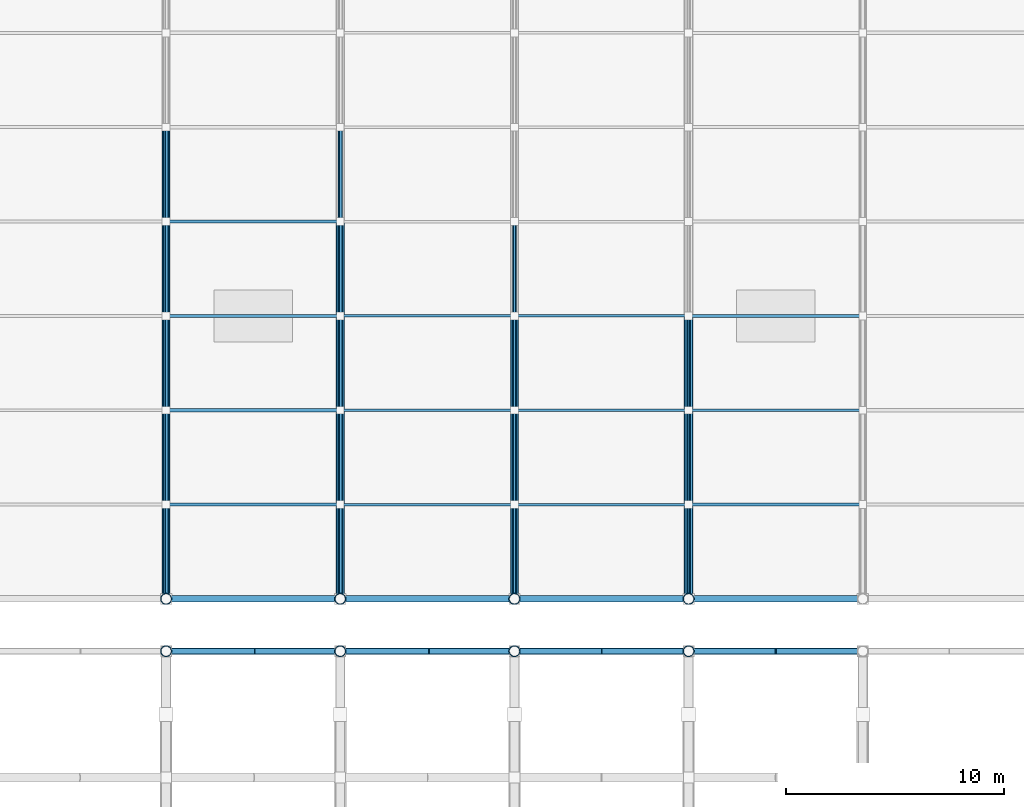
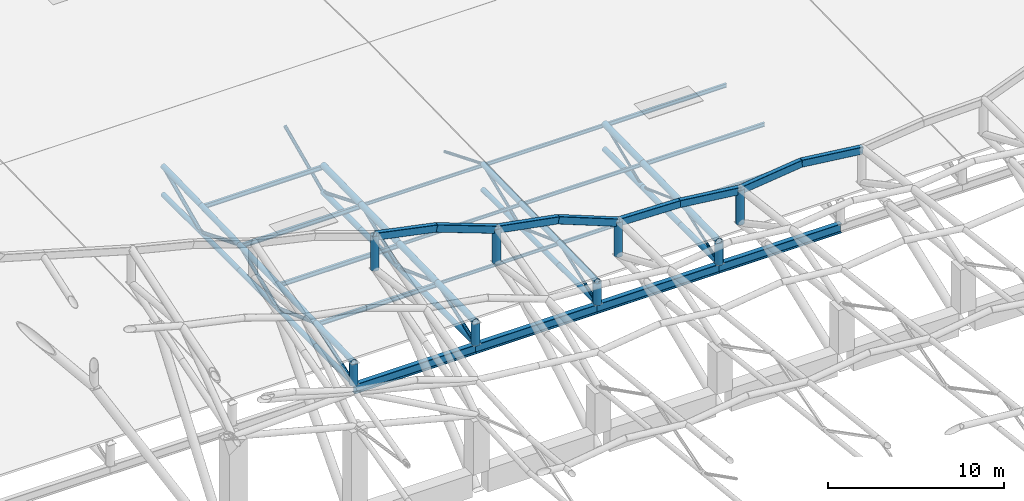
# One storey, part 18 of 75: 68 members, 12 beams.
"""IFC4 building model written with IfcOpenShell, lengths in metres."""

from ifc_helpers import new_model, si_unit, direction, frame, origin, origin_2d, place, context, subcontext, project, spatial, hollow_rectangle, hollow_circle, i_section, extrude, material, material_profile, profile_set, type_object, element, save


model = new_model("IFC4")

# Units and contexts
model_context = context("Model", 3, precision=1e-05, world=origin(), true_north=direction((0.0, 1.0)))
body_context = subcontext(model_context, "Body", "Model", "MODEL_VIEW")
ifc_project = project(units=[si_unit("LENGTHUNIT", "METRE"), si_unit("AREAUNIT", "SQUARE_METRE"), si_unit("VOLUMEUNIT", "CUBIC_METRE"), si_unit("PLANEANGLEUNIT", "RADIAN"), si_unit("MASSUNIT", "GRAM", prefix="KILO")], contexts=[model_context])

# Site, building, storey
site_placement = place(None, origin())
site = spatial("IfcSite", under=ifc_project, at=site_placement, CompositionType="ELEMENT")
building_placement = place(site_placement, origin())
building = spatial("IfcBuilding", under=site, at=building_placement, Name="Khorjan Park Terminus", CompositionType="ELEMENT")
storey_placement = place(building_placement, frame((0.0, 0.0, 16.2)))
storey = spatial("IfcBuildingStorey", under=building, at=storey_placement, Name="L03", CompositionType="ELEMENT", Elevation=16.2)

# Members
ifc_material = material(Name="Steel S355", Category="steel")
ifc_material_profile_1 = material_profile(ifc_material, hollow_circle(Radius=0.0842, WallThickness=0.008, at=origin_2d()), Name="CHS 168.3x8")
ifc_profile_set_1 = profile_set([ifc_material_profile_1], Name="Steel S355")
member_type_1 = type_object("IfcMemberType", Name="MB-BR-168", PredefinedType="BRACE", material=ifc_profile_set_1)
member_1_placement = place(storey_placement, frame((88.0, 102.0, -2.6), z_axis=(0.0, 0.938678487602, 0.344793701963), x_axis=(-1.0, 0.0, 0.0)))
element("IfcMember", 1, at=member_1_placement, inside=storey, type_object=member_type_1, Name="Train shed flat truss web diagonal TB-17 (T11)", PredefinedType="BRACE", context=body_context, shape_type="SweptSolid", body=[
    extrude(hollow_circle(Radius=0.0842, WallThickness=0.008, at=origin_2d()), origin(), (0.0, 0.0, 1.0), 4.6164),
])
member_2_placement = place(storey_placement, frame((88.0, 106.3333, -1.0083), z_axis=(0.0, 0.938681062758, -0.344786691187), x_axis=(-1.0, 0.0, 0.0)))
element("IfcMember", 2, at=member_2_placement, inside=storey, type_object=member_type_1, Name="Train shed flat truss web diagonal TB-17 (T11)", PredefinedType="BRACE", context=body_context, shape_type="SweptSolid", body=[
    extrude(hollow_circle(Radius=0.0842, WallThickness=0.008, at=origin_2d()), origin(), (0.0, 0.0, 1.0), 4.6165),
])
member_3_placement = place(storey_placement, frame((88.0, 110.6667, -2.6), z_axis=(0.0, 0.92537575721, 0.379051062481), x_axis=(-1.0, 0.0, 0.0)))
element("IfcMember", 3, at=member_3_placement, inside=storey, type_object=member_type_1, Name="Train shed flat truss web diagonal TB-17 (T11)", PredefinedType="BRACE", context=body_context, shape_type="SweptSolid", body=[
    extrude(hollow_circle(Radius=0.0842, WallThickness=0.008, at=origin_2d()), origin(), (0.0, 0.0, 1.0), 4.6827),
])
ifc_material_profile_2 = material_profile(ifc_material, hollow_circle(Radius=0.0969, WallThickness=0.01, at=origin_2d()), Name="CHS 193.7x10")
ifc_profile_set_2 = profile_set([ifc_material_profile_2], Name="Steel S355")
member_type_2 = type_object("IfcMemberType", Name="MB-BR-194", PredefinedType="BRACE", material=ifc_profile_set_2)
member_4_placement = place(storey_placement, frame((80.0, 102.0, -2.6), z_axis=(0.0, 0.938678487602, 0.344793701963), x_axis=(-1.0, 0.0, 0.0)))
element("IfcMember", 4, at=member_4_placement, inside=storey, type_object=member_type_2, Name="Train shed flat truss web diagonal TB-19 (T10)", PredefinedType="BRACE", context=body_context, shape_type="SweptSolid", body=[
    extrude(hollow_circle(Radius=0.0969, WallThickness=0.01, at=origin_2d()), origin(), (0.0, 0.0, 1.0), 4.6164),
])
member_5_placement = place(storey_placement, frame((80.0, 106.3333, -1.0083), z_axis=(0.0, 0.938681062758, -0.344786691187), x_axis=(-1.0, 0.0, 0.0)))
element("IfcMember", 5, at=member_5_placement, inside=storey, type_object=member_type_2, Name="Train shed flat truss web diagonal TB-19 (T10)", PredefinedType="BRACE", context=body_context, shape_type="SweptSolid", body=[
    extrude(hollow_circle(Radius=0.0969, WallThickness=0.01, at=origin_2d()), origin(), (0.0, 0.0, 1.0), 4.6165),
])
for number, where, z_axis, x_axis, name in (
    (6, (80.0, 110.6667, -2.6), (0.0, 0.92537575721, 0.379051062481), (-1.0, 0.0, 0.0), "Train shed flat truss web diagonal TB-19 (T10)"),
    (7, (80.0, 115.0, -0.825), (0.0, 0.92537575721, -0.379051062481), (-1.0, 0.0, 0.0), "Train shed flat truss web diagonal TB-19 (T10)"),
):
    element("IfcMember", number, at=place(storey_placement, frame(where, z_axis=z_axis, x_axis=x_axis)), inside=storey, type_object=member_type_2, Name=name, PredefinedType="BRACE", context=body_context, shape_type="SweptSolid", body=[
        extrude(hollow_circle(Radius=0.0969, WallThickness=0.01, at=origin_2d()), origin(), (0.0, 0.0, 1.0), 4.6827),
    ])
ifc_material_profile_3 = material_profile(ifc_material, hollow_circle(Radius=0.1095, WallThickness=0.01, at=origin_2d()), Name="CHS 219.1x10")
ifc_profile_set_3 = profile_set([ifc_material_profile_3], Name="Steel S355")
member_type_3 = type_object("IfcMemberType", Name="MB-BR-219", PredefinedType="BRACE", material=ifc_profile_set_3)
member_6_placement = place(storey_placement, frame((72.0, 102.0, -2.6), z_axis=(0.0, 0.938678487602, 0.344793701963), x_axis=(-1.0, 0.0, 0.0)))
element("IfcMember", 8, at=member_6_placement, inside=storey, type_object=member_type_3, Name="Train shed flat truss web diagonal TB-22 (T9)", PredefinedType="BRACE", context=body_context, shape_type="SweptSolid", body=[
    extrude(hollow_circle(Radius=0.1095, WallThickness=0.01, at=origin_2d()), origin(), (0.0, 0.0, 1.0), 4.6164),
])
member_7_placement = place(storey_placement, frame((72.0, 106.3333, -1.0083), z_axis=(0.0, 0.938681062758, -0.344786691187), x_axis=(-1.0, 0.0, 0.0)))
element("IfcMember", 9, at=member_7_placement, inside=storey, type_object=member_type_3, Name="Train shed flat truss web diagonal TB-22 (T9)", PredefinedType="BRACE", context=body_context, shape_type="SweptSolid", body=[
    extrude(hollow_circle(Radius=0.1095, WallThickness=0.01, at=origin_2d()), origin(), (0.0, 0.0, 1.0), 4.6165),
])
for number, where, z_axis, x_axis, name in (
    (10, (72.0, 110.6667, -2.6), (0.0, 0.92537575721, 0.379051062481), (-1.0, 0.0, 0.0), "Train shed flat truss web diagonal TB-22 (T9)"),
    (11, (72.0, 115.0, -0.825), (0.0, 0.92537575721, -0.379051062481), (-1.0, 0.0, 0.0), "Train shed flat truss web diagonal TB-22 (T9)"),
):
    element("IfcMember", number, at=place(storey_placement, frame(where, z_axis=z_axis, x_axis=x_axis)), inside=storey, type_object=member_type_3, Name=name, PredefinedType="BRACE", context=body_context, shape_type="SweptSolid", body=[
        extrude(hollow_circle(Radius=0.1095, WallThickness=0.01, at=origin_2d()), origin(), (0.0, 0.0, 1.0), 4.6827),
    ])
member_8_placement = place(storey_placement, frame((72.0, 119.3333, -2.6), z_axis=(0.0, 0.911269553162, 0.411810395061), x_axis=(-1.0, 0.0, 0.0)))
element("IfcMember", 12, at=member_8_placement, inside=storey, type_object=member_type_3, Name="Train shed flat truss web diagonal TB-22 (T9)", PredefinedType="BRACE", context=body_context, shape_type="SweptSolid", body=[
    extrude(hollow_circle(Radius=0.1095, WallThickness=0.01, at=origin_2d()), origin(), (0.0, 0.0, 1.0), 4.7553),
])
ifc_material_profile_4 = material_profile(ifc_material, hollow_circle(Radius=0.1222, WallThickness=0.0125, at=origin_2d()), Name="CHS 244.5x12.5")
ifc_profile_set_4 = profile_set([ifc_material_profile_4], Name="Steel S355")
member_type_4 = type_object("IfcMemberType", Name="MB-BR-245", PredefinedType="BRACE", material=ifc_profile_set_4)
member_9_placement = place(storey_placement, frame((64.0, 102.0, -2.6), z_axis=(0.0, 0.938678487602, 0.344793701963), x_axis=(-1.0, 0.0, 0.0)))
element("IfcMember", 13, at=member_9_placement, inside=storey, type_object=member_type_4, Name="Train shed flat truss web diagonal TB-24 (T8)", PredefinedType="BRACE", context=body_context, shape_type="SweptSolid", body=[
    extrude(hollow_circle(Radius=0.1222, WallThickness=0.0125, at=origin_2d()), origin(), (0.0, 0.0, 1.0), 4.6164),
])
member_10_placement = place(storey_placement, frame((64.0, 106.3333, -1.0083), z_axis=(0.0, 0.938681062758, -0.344786691187), x_axis=(-1.0, 0.0, 0.0)))
element("IfcMember", 14, at=member_10_placement, inside=storey, type_object=member_type_4, Name="Train shed flat truss web diagonal TB-24 (T8)", PredefinedType="BRACE", context=body_context, shape_type="SweptSolid", body=[
    extrude(hollow_circle(Radius=0.1222, WallThickness=0.0125, at=origin_2d()), origin(), (0.0, 0.0, 1.0), 4.6165),
])
for number, where, z_axis, x_axis, name in (
    (15, (64.0, 110.6667, -2.6), (0.0, 0.92537575721, 0.379051062481), (-1.0, 0.0, 0.0), "Train shed flat truss web diagonal TB-24 (T8)"),
    (16, (64.0, 115.0, -0.825), (0.0, 0.92537575721, -0.379051062481), (-1.0, 0.0, 0.0), "Train shed flat truss web diagonal TB-24 (T8)"),
):
    element("IfcMember", number, at=place(storey_placement, frame(where, z_axis=z_axis, x_axis=x_axis)), inside=storey, type_object=member_type_4, Name=name, PredefinedType="BRACE", context=body_context, shape_type="SweptSolid", body=[
        extrude(hollow_circle(Radius=0.1222, WallThickness=0.0125, at=origin_2d()), origin(), (0.0, 0.0, 1.0), 4.6827),
    ])
member_11_placement = place(storey_placement, frame((64.0, 119.3333, -2.6), z_axis=(0.0, 0.911269553162, 0.411810395061), x_axis=(-1.0, 0.0, 0.0)))
element("IfcMember", 17, at=member_11_placement, inside=storey, type_object=member_type_4, Name="Train shed flat truss web diagonal TB-24 (T8)", PredefinedType="BRACE", context=body_context, shape_type="SweptSolid", body=[
    extrude(hollow_circle(Radius=0.1222, WallThickness=0.0125, at=origin_2d()), origin(), (0.0, 0.0, 1.0), 4.7553),
])
ifc_material_profile_5 = material_profile(ifc_material, hollow_circle(Radius=0.162, WallThickness=0.0125, at=origin_2d()), Name="CHS 323.9x12.5")
ifc_profile_set_5 = profile_set([ifc_material_profile_5], Name="Steel S355")
member_type_5 = type_object("IfcMemberType", Name="MB-CH-324", PredefinedType="CHORD", material=ifc_profile_set_5)
member_12_placement = place(storey_placement, frame((64.0, 102.0, -2.6), z_axis=(0.0, 1.0, 0.0), x_axis=(-1.0, 0.0, 0.0)))
element("IfcMember", 18, at=member_12_placement, inside=storey, type_object=member_type_5, Name="Train shed flat truss bottom chord TC-32 (T8)", PredefinedType="CHORD", context=body_context, shape_type="SweptSolid", body=[
    extrude(hollow_circle(Radius=0.162, WallThickness=0.0125, at=origin_2d()), origin(), (0.0, 0.0, 1.0), 4.3333),
])
member_13_placement = place(storey_placement, frame((64.0, 106.3333, -2.6), z_axis=(0.0, 1.0, 0.0), x_axis=(-1.0, 0.0, 0.0)))
element("IfcMember", 19, at=member_13_placement, inside=storey, type_object=member_type_5, Name="Train shed flat truss bottom chord TC-32 (T8)", PredefinedType="CHORD", context=body_context, shape_type="SweptSolid", body=[
    extrude(hollow_circle(Radius=0.162, WallThickness=0.0125, at=origin_2d()), origin(), (0.0, 0.0, 1.0), 4.3334),
])
for number, where, z_axis, x_axis, name in (
    (20, (64.0, 110.6667, -2.6), (0.0, 1.0, 0.0), (-1.0, 0.0, 0.0), "Train shed flat truss bottom chord TC-32 (T8)"),
    (21, (64.0, 115.0, -2.6), (0.0, 1.0, 0.0), (-1.0, 0.0, 0.0), "Train shed flat truss bottom chord TC-32 (T8)"),
):
    element("IfcMember", number, at=place(storey_placement, frame(where, z_axis=z_axis, x_axis=x_axis)), inside=storey, type_object=member_type_5, Name=name, PredefinedType="CHORD", context=body_context, shape_type="SweptSolid", body=[
        extrude(hollow_circle(Radius=0.162, WallThickness=0.0125, at=origin_2d()), origin(), (0.0, 0.0, 1.0), 4.3333),
    ])
member_14_placement = place(storey_placement, frame((64.0, 119.3333, -2.6), z_axis=(0.0, 1.0, 0.0), x_axis=(-1.0, 0.0, 0.0)))
element("IfcMember", 22, at=member_14_placement, inside=storey, type_object=member_type_5, Name="Train shed flat truss bottom chord TC-32 (T8)", PredefinedType="CHORD", context=body_context, shape_type="SweptSolid", body=[
    extrude(hollow_circle(Radius=0.162, WallThickness=0.0125, at=origin_2d()), origin(), (0.0, 0.0, 1.0), 4.3334),
])
member_15_placement = place(storey_placement, frame((80.0, 102.0, -2.6), z_axis=(0.0, 1.0, 0.0), x_axis=(-1.0, 0.0, 0.0)))
element("IfcMember", 23, at=member_15_placement, inside=storey, type_object=member_type_5, Name="Train shed flat truss bottom chord TC-32 (T10)", PredefinedType="CHORD", context=body_context, shape_type="SweptSolid", body=[
    extrude(hollow_circle(Radius=0.162, WallThickness=0.0125, at=origin_2d()), origin(), (0.0, 0.0, 1.0), 4.3333),
])
member_16_placement = place(storey_placement, frame((80.0, 106.3333, -2.6), z_axis=(0.0, 1.0, 0.0), x_axis=(-1.0, 0.0, 0.0)))
element("IfcMember", 24, at=member_16_placement, inside=storey, type_object=member_type_5, Name="Train shed flat truss bottom chord TC-32 (T10)", PredefinedType="CHORD", context=body_context, shape_type="SweptSolid", body=[
    extrude(hollow_circle(Radius=0.162, WallThickness=0.0125, at=origin_2d()), origin(), (0.0, 0.0, 1.0), 4.3334),
])
member_17_placement = place(storey_placement, frame((80.0, 110.6667, -2.6), z_axis=(0.0, 1.0, 0.0), x_axis=(-1.0, 0.0, 0.0)))
element("IfcMember", 25, at=member_17_placement, inside=storey, type_object=member_type_5, Name="Train shed flat truss bottom chord TC-32 (T10)", PredefinedType="CHORD", context=body_context, shape_type="SweptSolid", body=[
    extrude(hollow_circle(Radius=0.162, WallThickness=0.0125, at=origin_2d()), origin(), (0.0, 0.0, 1.0), 4.3333),
])
ifc_material_profile_6 = material_profile(ifc_material, hollow_circle(Radius=0.1778, WallThickness=0.016, at=origin_2d()), Name="CHS 355.6x16")
ifc_profile_set_6 = profile_set([ifc_material_profile_6], Name="Steel S355")
member_type_6 = type_object("IfcMemberType", Name="MB-CH-356", PredefinedType="CHORD", material=ifc_profile_set_6)
member_18_placement = place(storey_placement, frame((64.0, 102.0, -1.1), z_axis=(0.0, 0.999776166375, 0.021156964544), x_axis=(-1.0, 0.0, 0.0)))
element("IfcMember", 26, at=member_18_placement, inside=storey, type_object=member_type_6, Name="Train shed flat truss top chord TC-36 (T8)", PredefinedType="CHORD", context=body_context, shape_type="SweptSolid", body=[
    extrude(hollow_circle(Radius=0.1778, WallThickness=0.016, at=origin_2d()), origin(), (0.0, 0.0, 1.0), 4.3343),
])
member_19_placement = place(storey_placement, frame((64.0, 106.3333, -1.0083), z_axis=(0.0, 0.999776664437, 0.021133415439), x_axis=(-1.0, 0.0, 0.0)))
element("IfcMember", 27, at=member_19_placement, inside=storey, type_object=member_type_6, Name="Train shed flat truss top chord TC-36 (T8)", PredefinedType="CHORD", context=body_context, shape_type="SweptSolid", body=[
    extrude(hollow_circle(Radius=0.1778, WallThickness=0.016, at=origin_2d()), origin(), (0.0, 0.0, 1.0), 4.3344),
])
for number, where, z_axis, x_axis, name in (
    (28, (64.0, 110.6667, -0.9167), (0.0, 0.999776166375, 0.021156964544), (-1.0, 0.0, 0.0), "Train shed flat truss top chord TC-36 (T8)"),
    (29, (64.0, 115.0, -0.825), (0.0, 0.999776166375, 0.021156964544), (-1.0, 0.0, 0.0), "Train shed flat truss top chord TC-36 (T8)"),
):
    element("IfcMember", number, at=place(storey_placement, frame(where, z_axis=z_axis, x_axis=x_axis)), inside=storey, type_object=member_type_6, Name=name, PredefinedType="CHORD", context=body_context, shape_type="SweptSolid", body=[
        extrude(hollow_circle(Radius=0.1778, WallThickness=0.016, at=origin_2d()), origin(), (0.0, 0.0, 1.0), 4.3343),
    ])
member_20_placement = place(storey_placement, frame((64.0, 119.3333, -0.7333), z_axis=(0.0, 0.999776664437, 0.021133415439), x_axis=(-1.0, 0.0, 0.0)))
element("IfcMember", 30, at=member_20_placement, inside=storey, type_object=member_type_6, Name="Train shed flat truss top chord TC-36 (T8)", PredefinedType="CHORD", context=body_context, shape_type="SweptSolid", body=[
    extrude(hollow_circle(Radius=0.1778, WallThickness=0.016, at=origin_2d()), origin(), (0.0, 0.0, 1.0), 4.3344),
])
member_21_placement = place(storey_placement, frame((72.0, 102.0, -2.6), z_axis=(0.0, 1.0, 0.0), x_axis=(-1.0, 0.0, 0.0)))
element("IfcMember", 31, at=member_21_placement, inside=storey, type_object=member_type_6, Name="Train shed flat truss bottom chord TC-36 (T9)", PredefinedType="CHORD", context=body_context, shape_type="SweptSolid", body=[
    extrude(hollow_circle(Radius=0.1778, WallThickness=0.016, at=origin_2d()), origin(), (0.0, 0.0, 1.0), 4.3333),
])
member_22_placement = place(storey_placement, frame((72.0, 106.3333, -2.6), z_axis=(0.0, 1.0, 0.0), x_axis=(-1.0, 0.0, 0.0)))
element("IfcMember", 32, at=member_22_placement, inside=storey, type_object=member_type_6, Name="Train shed flat truss bottom chord TC-36 (T9)", PredefinedType="CHORD", context=body_context, shape_type="SweptSolid", body=[
    extrude(hollow_circle(Radius=0.1778, WallThickness=0.016, at=origin_2d()), origin(), (0.0, 0.0, 1.0), 4.3334),
])
for number, where, z_axis, x_axis, name in (
    (33, (72.0, 110.6667, -2.6), (0.0, 1.0, 0.0), (-1.0, 0.0, 0.0), "Train shed flat truss bottom chord TC-36 (T9)"),
    (34, (72.0, 115.0, -2.6), (0.0, 1.0, 0.0), (-1.0, 0.0, 0.0), "Train shed flat truss bottom chord TC-36 (T9)"),
):
    element("IfcMember", number, at=place(storey_placement, frame(where, z_axis=z_axis, x_axis=x_axis)), inside=storey, type_object=member_type_6, Name=name, PredefinedType="CHORD", context=body_context, shape_type="SweptSolid", body=[
        extrude(hollow_circle(Radius=0.1778, WallThickness=0.016, at=origin_2d()), origin(), (0.0, 0.0, 1.0), 4.3333),
    ])
member_23_placement = place(storey_placement, frame((80.0, 102.0, -1.1), z_axis=(0.0, 0.999776166375, 0.021156964544), x_axis=(-1.0, 0.0, 0.0)))
element("IfcMember", 35, at=member_23_placement, inside=storey, type_object=member_type_6, Name="Train shed flat truss top chord TC-36 (T10)", PredefinedType="CHORD", context=body_context, shape_type="SweptSolid", body=[
    extrude(hollow_circle(Radius=0.1778, WallThickness=0.016, at=origin_2d()), origin(), (0.0, 0.0, 1.0), 4.3343),
])
member_24_placement = place(storey_placement, frame((80.0, 106.3333, -1.0083), z_axis=(0.0, 0.999776664437, 0.021133415439), x_axis=(-1.0, 0.0, 0.0)))
element("IfcMember", 36, at=member_24_placement, inside=storey, type_object=member_type_6, Name="Train shed flat truss top chord TC-36 (T10)", PredefinedType="CHORD", context=body_context, shape_type="SweptSolid", body=[
    extrude(hollow_circle(Radius=0.1778, WallThickness=0.016, at=origin_2d()), origin(), (0.0, 0.0, 1.0), 4.3344),
])
member_25_placement = place(storey_placement, frame((80.0, 110.6667, -0.9167), z_axis=(0.0, 0.999776166375, 0.021156964544), x_axis=(-1.0, 0.0, 0.0)))
element("IfcMember", 37, at=member_25_placement, inside=storey, type_object=member_type_6, Name="Train shed flat truss top chord TC-36 (T10)", PredefinedType="CHORD", context=body_context, shape_type="SweptSolid", body=[
    extrude(hollow_circle(Radius=0.1778, WallThickness=0.016, at=origin_2d()), origin(), (0.0, 0.0, 1.0), 4.3343),
])
member_26_placement = place(storey_placement, frame((88.0, 102.0, -2.6), z_axis=(0.0, 1.0, 0.0), x_axis=(-1.0, 0.0, 0.0)))
element("IfcMember", 38, at=member_26_placement, inside=storey, type_object=member_type_6, Name="Train shed flat truss bottom chord TC-36 (T11)", PredefinedType="CHORD", context=body_context, shape_type="SweptSolid", body=[
    extrude(hollow_circle(Radius=0.1778, WallThickness=0.016, at=origin_2d()), origin(), (0.0, 0.0, 1.0), 4.3333),
])
member_27_placement = place(storey_placement, frame((88.0, 106.3333, -2.6), z_axis=(0.0, 1.0, 0.0), x_axis=(-1.0, 0.0, 0.0)))
element("IfcMember", 39, at=member_27_placement, inside=storey, type_object=member_type_6, Name="Train shed flat truss bottom chord TC-36 (T11)", PredefinedType="CHORD", context=body_context, shape_type="SweptSolid", body=[
    extrude(hollow_circle(Radius=0.1778, WallThickness=0.016, at=origin_2d()), origin(), (0.0, 0.0, 1.0), 4.3334),
])
member_28_placement = place(storey_placement, frame((88.0, 110.6667, -2.6), z_axis=(0.0, 1.0, 0.0), x_axis=(-1.0, 0.0, 0.0)))
element("IfcMember", 40, at=member_28_placement, inside=storey, type_object=member_type_6, Name="Train shed flat truss bottom chord TC-36 (T11)", PredefinedType="CHORD", context=body_context, shape_type="SweptSolid", body=[
    extrude(hollow_circle(Radius=0.1778, WallThickness=0.016, at=origin_2d()), origin(), (0.0, 0.0, 1.0), 4.3333),
])
ifc_material_profile_7 = material_profile(ifc_material, hollow_circle(Radius=0.2032, WallThickness=0.016, at=origin_2d()), Name="CHS 406.4x16")
ifc_profile_set_7 = profile_set([ifc_material_profile_7], Name="Steel S355")
member_type_7 = type_object("IfcMemberType", Name="MB-CH-406", PredefinedType="CHORD", material=ifc_profile_set_7)
member_29_placement = place(storey_placement, frame((72.0, 102.0, -1.1), z_axis=(0.0, 0.999776166375, 0.021156964544), x_axis=(-1.0, 0.0, 0.0)))
element("IfcMember", 41, at=member_29_placement, inside=storey, type_object=member_type_7, Name="Train shed flat truss top chord TC-41 (T9)", PredefinedType="CHORD", context=body_context, shape_type="SweptSolid", body=[
    extrude(hollow_circle(Radius=0.2032, WallThickness=0.016, at=origin_2d()), origin(), (0.0, 0.0, 1.0), 4.3343),
])
member_30_placement = place(storey_placement, frame((72.0, 106.3333, -1.0083), z_axis=(0.0, 0.999776664437, 0.021133415439), x_axis=(-1.0, 0.0, 0.0)))
element("IfcMember", 42, at=member_30_placement, inside=storey, type_object=member_type_7, Name="Train shed flat truss top chord TC-41 (T9)", PredefinedType="CHORD", context=body_context, shape_type="SweptSolid", body=[
    extrude(hollow_circle(Radius=0.2032, WallThickness=0.016, at=origin_2d()), origin(), (0.0, 0.0, 1.0), 4.3344),
])
for number, where, z_axis, x_axis, name in (
    (43, (72.0, 110.6667, -0.9167), (0.0, 0.999776166375, 0.021156964544), (-1.0, 0.0, 0.0), "Train shed flat truss top chord TC-41 (T9)"),
    (44, (72.0, 115.0, -0.825), (0.0, 0.999776166375, 0.021156964544), (-1.0, 0.0, 0.0), "Train shed flat truss top chord TC-41 (T9)"),
    (45, (88.0, 102.0, -1.1), (0.0, 0.999776166375, 0.021156964544), (-1.0, 0.0, 0.0), "Train shed flat truss top chord TC-41 (T11)"),
):
    element("IfcMember", number, at=place(storey_placement, frame(where, z_axis=z_axis, x_axis=x_axis)), inside=storey, type_object=member_type_7, Name=name, PredefinedType="CHORD", context=body_context, shape_type="SweptSolid", body=[
        extrude(hollow_circle(Radius=0.2032, WallThickness=0.016, at=origin_2d()), origin(), (0.0, 0.0, 1.0), 4.3343),
    ])
member_31_placement = place(storey_placement, frame((88.0, 106.3333, -1.0083), z_axis=(0.0, 0.999776664437, 0.021133415439), x_axis=(-1.0, 0.0, 0.0)))
element("IfcMember", 46, at=member_31_placement, inside=storey, type_object=member_type_7, Name="Train shed flat truss top chord TC-41 (T11)", PredefinedType="CHORD", context=body_context, shape_type="SweptSolid", body=[
    extrude(hollow_circle(Radius=0.2032, WallThickness=0.016, at=origin_2d()), origin(), (0.0, 0.0, 1.0), 4.3344),
])
member_32_placement = place(storey_placement, frame((88.0, 110.6667, -0.9167), z_axis=(0.0, 0.999776166375, 0.021156964544), x_axis=(-1.0, 0.0, 0.0)))
element("IfcMember", 47, at=member_32_placement, inside=storey, type_object=member_type_7, Name="Train shed flat truss top chord TC-41 (T11)", PredefinedType="CHORD", context=body_context, shape_type="SweptSolid", body=[
    extrude(hollow_circle(Radius=0.2032, WallThickness=0.016, at=origin_2d()), origin(), (0.0, 0.0, 1.0), 4.3343),
])
ifc_material_profile_8 = material_profile(ifc_material, i_section(OverallWidth=0.11, OverallDepth=0.22, WebThickness=0.0059, FlangeThickness=0.0092, FilletRadius=0.012, at=origin_2d()), Name="IPE 220")
ifc_profile_set_8 = profile_set([ifc_material_profile_8], Name="Steel S355")
member_type_8 = type_object("IfcMemberType", Name="MB-PR-IPE220", PredefinedType="PURLIN", material=ifc_profile_set_8)
for number, where, z_axis, x_axis, name in (
    (48, (72.0, 106.3333, -1.0983), (1.0, 0.0, 0.0), (0.0, 1.0, 0.0), "Train shed secondary roof purlin PR-22 (Bay 9)"),
    (49, (72.0, 110.6667, -1.0067), (1.0, 0.0, 0.0), (0.0, 1.0, 0.0), "Train shed secondary roof purlin PR-22 (Bay 9)"),
    (50, (72.0, 115.0, -0.915), (1.0, 0.0, 0.0), (0.0, 1.0, 0.0), "Train shed secondary roof purlin PR-22 (Bay 9)"),
):
    element("IfcMember", number, at=place(storey_placement, frame(where, z_axis=z_axis, x_axis=x_axis)), inside=storey, type_object=member_type_8, Name=name, PredefinedType="PURLIN", context=body_context, shape_type="SweptSolid", body=[
        extrude(i_section(OverallWidth=0.11, OverallDepth=0.22, WebThickness=0.0059, FlangeThickness=0.0092, FilletRadius=0.012, at=origin_2d()), origin(), (0.0, 0.0, 1.0), 8.0),
    ])
ifc_material_profile_9 = material_profile(ifc_material, i_section(OverallWidth=0.12, OverallDepth=0.24, WebThickness=0.0062, FlangeThickness=0.0098, FilletRadius=0.015, at=origin_2d()), Name="IPE 240")
ifc_profile_set_9 = profile_set([ifc_material_profile_9], Name="Steel S355")
member_type_9 = type_object("IfcMemberType", Name="MB-PR-IPE240", PredefinedType="PURLIN", material=ifc_profile_set_9)
for number, where, z_axis, x_axis, name in (
    (51, (80.0, 106.3333, -1.1083), (1.0, 0.0, 0.0), (0.0, 1.0, 0.0), "Train shed secondary roof purlin PR-24 (Bay 10)"),
    (52, (80.0, 110.6667, -1.0167), (1.0, 0.0, 0.0), (0.0, 1.0, 0.0), "Train shed secondary roof purlin PR-24 (Bay 10)"),
    (53, (80.0, 115.0, -0.925), (1.0, 0.0, 0.0), (0.0, 1.0, 0.0), "Train shed secondary roof purlin PR-24 (Bay 10)"),
):
    element("IfcMember", number, at=place(storey_placement, frame(where, z_axis=z_axis, x_axis=x_axis)), inside=storey, type_object=member_type_9, Name=name, PredefinedType="PURLIN", context=body_context, shape_type="SweptSolid", body=[
        extrude(i_section(OverallWidth=0.12, OverallDepth=0.24, WebThickness=0.0062, FlangeThickness=0.0098, FilletRadius=0.015, at=origin_2d()), origin(), (0.0, 0.0, 1.0), 8.0),
    ])
ifc_material_profile_10 = material_profile(ifc_material, i_section(OverallWidth=0.135, OverallDepth=0.27, WebThickness=0.0066, FlangeThickness=0.0102, FilletRadius=0.015, at=origin_2d()), Name="IPE 270")
ifc_profile_set_10 = profile_set([ifc_material_profile_10], Name="Steel S355")
member_type_10 = type_object("IfcMemberType", Name="MB-PR-IPE270", PredefinedType="PURLIN", material=ifc_profile_set_10)
for number, where, z_axis, x_axis, name in (
    (54, (88.0, 106.3333, -1.1233), (1.0, 0.0, 0.0), (0.0, 1.0, 0.0), "Train shed secondary roof purlin PR-27 (Bay 11)"),
    (55, (88.0, 110.6667, -1.0317), (1.0, 0.0, 0.0), (0.0, 1.0, 0.0), "Train shed secondary roof purlin PR-27 (Bay 11)"),
    (56, (88.0, 115.0, -0.94), (1.0, 0.0, 0.0), (0.0, 1.0, 0.0), "Train shed secondary roof purlin PR-27 (Bay 11)"),
):
    element("IfcMember", number, at=place(storey_placement, frame(where, z_axis=z_axis, x_axis=x_axis)), inside=storey, type_object=member_type_10, Name=name, PredefinedType="PURLIN", context=body_context, shape_type="SweptSolid", body=[
        extrude(i_section(OverallWidth=0.135, OverallDepth=0.27, WebThickness=0.0066, FlangeThickness=0.0102, FilletRadius=0.015, at=origin_2d()), origin(), (0.0, 0.0, 1.0), 8.0),
    ])
ifc_material_profile_11 = material_profile(ifc_material, i_section(OverallWidth=0.15, OverallDepth=0.3, WebThickness=0.0071, FlangeThickness=0.0107, FilletRadius=0.015, at=origin_2d()), Name="IPE 300")
ifc_profile_set_11 = profile_set([ifc_material_profile_11], Name="Steel S355")
member_type_11 = type_object("IfcMemberType", Name="MB-PR-IPE300", PredefinedType="PURLIN", material=ifc_profile_set_11)
for number, where, z_axis, x_axis, name in (
    (57, (64.0, 106.3333, -1.1383), (1.0, 0.0, 0.0), (0.0, 1.0, 0.0), "Train shed secondary roof purlin PR-30 (Bay 8)"),
    (58, (64.0, 110.6667, -1.0467), (1.0, 0.0, 0.0), (0.0, 1.0, 0.0), "Train shed secondary roof purlin PR-30 (Bay 8)"),
    (59, (64.0, 115.0, -0.955), (1.0, 0.0, 0.0), (0.0, 1.0, 0.0), "Train shed secondary roof purlin PR-30 (Bay 8)"),
    (60, (64.0, 119.3333, -0.8633), (1.0, 0.0, 0.0), (0.0, 1.0, 0.0), "Train shed secondary roof purlin PR-30 (Bay 8)"),
):
    element("IfcMember", number, at=place(storey_placement, frame(where, z_axis=z_axis, x_axis=x_axis)), inside=storey, type_object=member_type_11, Name=name, PredefinedType="PURLIN", context=body_context, shape_type="SweptSolid", body=[
        extrude(i_section(OverallWidth=0.15, OverallDepth=0.3, WebThickness=0.0071, FlangeThickness=0.0107, FilletRadius=0.015, at=origin_2d()), origin(), (0.0, 0.0, 1.0), 8.0),
    ])
ifc_material_profile_12 = material_profile(ifc_material, hollow_circle(Radius=0.254, WallThickness=0.02, at=origin_2d()), Name="CHS 508x20")
ifc_profile_set_12 = profile_set([ifc_material_profile_12], Name="Steel S355")
member_type_12 = type_object("IfcMemberType", Name="MB-STE-508", PredefinedType="STRUT", material=ifc_profile_set_12)
for number, where, z_axis, x_axis, name in (
    (61, (64.0, 102.0, -2.62), (0.0, 0.0, 1.0), (1.0, 0.0, 0.0), "Train shed flat truss end post STE-51 (T8-S)"),
    (62, (72.0, 102.0, -2.62), (0.0, 0.0, 1.0), (1.0, 0.0, 0.0), "Train shed flat truss end post STE-51 (T9-S)"),
    (63, (80.0, 102.0, -2.62), (0.0, 0.0, 1.0), (1.0, 0.0, 0.0), "Train shed flat truss end post STE-51 (T10-S)"),
    (64, (88.0, 102.0, -2.62), (0.0, 0.0, 1.0), (1.0, 0.0, 0.0), "Train shed flat truss end post STE-51 (T11-S)"),
):
    element("IfcMember", number, at=place(storey_placement, frame(where, z_axis=z_axis, x_axis=x_axis)), inside=storey, type_object=member_type_12, Name=name, PredefinedType="STRUT", context=body_context, shape_type="SweptSolid", body=[
        extrude(hollow_circle(Radius=0.254, WallThickness=0.02, at=origin_2d()), origin(), (0.0, 0.0, 1.0), 1.52),
    ])
for number, where, z_axis, x_axis, name in (
    (65, (64.0, 99.6, 6.8305), (0.0, 0.0, 1.0), (1.0, 0.0, 0.0), "Upper shell overhang tip post STE-51 (3N)"),
    (66, (72.0, 99.6, 4.5147), (0.0, 0.0, 1.0), (1.0, 0.0, 0.0), "Upper shell overhang tip post STE-51 (4N)"),
    (67, (80.0, 99.6, 2.1989), (0.0, 0.0, 1.0), (1.0, 0.0, 0.0), "Upper shell overhang tip post STE-51 (5N)"),
    (68, (88.0, 99.6, 1.62), (0.0, 0.0, 1.0), (1.0, 0.0, 0.0), "Upper shell overhang tip post STE-51 (6N)"),
):
    element("IfcMember", number, at=place(storey_placement, frame(where, z_axis=z_axis, x_axis=x_axis)), inside=storey, type_object=member_type_12, Name=name, PredefinedType="STRUT", context=body_context, shape_type="SweptSolid", body=[
        extrude(hollow_circle(Radius=0.254, WallThickness=0.02, at=origin_2d()), origin(), (0.0, 0.0, 1.0), 2.4),
    ])

# Beams
ifc_material_profile_13 = material_profile(ifc_material, i_section(OverallWidth=0.3, OverallDepth=0.65, WebThickness=0.016, FlangeThickness=0.031, FilletRadius=0.027, at=origin_2d()), Name="HEB 650")
ifc_profile_set_13 = profile_set([ifc_material_profile_13], Name="Steel S355")
beam_type_1 = type_object("IfcBeamType", Name="SP-HEB650E", PredefinedType="SPANDREL", material=ifc_profile_set_13)
for number, where, z_axis, x_axis, name in (
    (69, (64.0, 102.0, -2.925), (1.0, 0.0, 0.0), (0.0, 1.0, 0.0), "Train shed horizontal eave fascia girder SP-E65 (S8)"),
    (70, (72.0, 102.0, -2.925), (1.0, 0.0, 0.0), (0.0, 1.0, 0.0), "Train shed horizontal eave fascia girder SP-E65 (S9)"),
    (71, (80.0, 102.0, -2.925), (1.0, 0.0, 0.0), (0.0, 1.0, 0.0), "Train shed horizontal eave fascia girder SP-E65 (S10)"),
    (72, (88.0, 102.0, -2.925), (1.0, 0.0, 0.0), (0.0, 1.0, 0.0), "Train shed horizontal eave fascia girder SP-E65 (S11)"),
):
    element("IfcBeam", number, at=place(storey_placement, frame(where, z_axis=z_axis, x_axis=x_axis)), inside=storey, type_object=beam_type_1, Name=name, PredefinedType="SPANDREL", context=body_context, shape_type="SweptSolid", body=[
        extrude(i_section(OverallWidth=0.3, OverallDepth=0.65, WebThickness=0.016, FlangeThickness=0.031, FilletRadius=0.027, at=origin_2d()), origin(), (0.0, 0.0, 1.0), 8.0),
    ])
ifc_material_profile_14 = material_profile(ifc_material, hollow_rectangle(XDim=0.3, YDim=0.5, WallThickness=0.016, InnerFilletRadius=0.016, OuterFilletRadius=0.032, at=origin_2d()), Name="RHS 500x300x16")
ifc_profile_set_14 = profile_set([ifc_material_profile_14], Name="Steel S355")
beam_type_2 = type_object("IfcBeamType", Name="SP-RHS500", PredefinedType="SPANDREL", material=ifc_profile_set_14)
beam_1_placement = place(storey_placement, frame((64.0, 99.6, 9.1305), z_axis=(0.979274319101, 0.0, -0.202538411048), x_axis=(0.0, 1.0, 0.0)))
element("IfcBeam", 73, at=beam_1_placement, inside=storey, type_object=beam_type_2, Name="Upper folded shell upturned perimeter edge beam SP-R50 (33)", PredefinedType="SPANDREL", context=body_context, shape_type="SweptSolid", body=[
    extrude(hollow_rectangle(XDim=0.3, YDim=0.5, WallThickness=0.016, InnerFilletRadius=0.016, OuterFilletRadius=0.032, at=origin_2d()), origin(), (0.0, 0.0, 1.0), 4.0847),
])
beam_2_placement = place(storey_placement, frame((68.0, 99.6, 8.3032), z_axis=(0.937212055598, 0.0, -0.348760036189), x_axis=(0.0, 1.0, 0.0)))
element("IfcBeam", 74, at=beam_2_placement, inside=storey, type_object=beam_type_2, Name="Upper folded shell upturned perimeter edge beam SP-R50 (34)", PredefinedType="SPANDREL", context=body_context, shape_type="SweptSolid", body=[
    extrude(hollow_rectangle(XDim=0.3, YDim=0.5, WallThickness=0.016, InnerFilletRadius=0.016, OuterFilletRadius=0.032, at=origin_2d()), origin(), (0.0, 0.0, 1.0), 4.268),
])
beam_3_placement = place(storey_placement, frame((72.0, 99.6, 6.8147), z_axis=(0.983155941904, 0.0, -0.1827686896), x_axis=(0.0, 1.0, 0.0)))
element("IfcBeam", 75, at=beam_3_placement, inside=storey, type_object=beam_type_2, Name="Upper folded shell upturned perimeter edge beam SP-R50 (35)", PredefinedType="SPANDREL", context=body_context, shape_type="SweptSolid", body=[
    extrude(hollow_rectangle(XDim=0.3, YDim=0.5, WallThickness=0.016, InnerFilletRadius=0.016, OuterFilletRadius=0.032, at=origin_2d()), origin(), (0.0, 0.0, 1.0), 4.0685),
])
beam_4_placement = place(storey_placement, frame((76.0, 99.6, 6.0711), z_axis=(0.930690394254, 0.0, -0.365807859461), x_axis=(0.0, 1.0, 0.0)))
element("IfcBeam", 76, at=beam_4_placement, inside=storey, type_object=beam_type_2, Name="Upper folded shell upturned perimeter edge beam SP-R50 (36)", PredefinedType="SPANDREL", context=body_context, shape_type="SweptSolid", body=[
    extrude(hollow_rectangle(XDim=0.3, YDim=0.5, WallThickness=0.016, InnerFilletRadius=0.016, OuterFilletRadius=0.032, at=origin_2d()), origin(), (0.0, 0.0, 1.0), 4.2979),
])
beam_5_placement = place(storey_placement, frame((80.0, 99.6, 4.4989), z_axis=(0.999675670041, 0.0, -0.025466737694), x_axis=(0.0, 1.0, 0.0)))
element("IfcBeam", 77, at=beam_5_placement, inside=storey, type_object=beam_type_2, Name="Upper folded shell upturned perimeter edge beam SP-R50 (37)", PredefinedType="SPANDREL", context=body_context, shape_type="SweptSolid", body=[
    extrude(hollow_rectangle(XDim=0.3, YDim=0.5, WallThickness=0.016, InnerFilletRadius=0.016, OuterFilletRadius=0.032, at=origin_2d()), origin(), (0.0, 0.0, 1.0), 4.0013),
])
for number, where, z_axis, x_axis, name in (
    (78, (84.0, 99.6, 4.397), (0.99296466527, 0.0, -0.118411036333), (0.0, 1.0, 0.0), "Upper folded shell upturned perimeter edge beam SP-R50 (38)"),
    (79, (88.0, 99.6, 3.92), (0.99296466527, 0.0, 0.118411036333), (0.0, 1.0, 0.0), "Upper folded shell upturned perimeter edge beam SP-R50 (39)"),
    (80, (92.0, 99.6, 4.397), (0.99296466527, 0.0, -0.118411036333), (0.0, 1.0, 0.0), "Upper folded shell upturned perimeter edge beam SP-R50 (40)"),
):
    element("IfcBeam", number, at=place(storey_placement, frame(where, z_axis=z_axis, x_axis=x_axis)), inside=storey, type_object=beam_type_2, Name=name, PredefinedType="SPANDREL", context=body_context, shape_type="SweptSolid", body=[
        extrude(hollow_rectangle(XDim=0.3, YDim=0.5, WallThickness=0.016, InnerFilletRadius=0.016, OuterFilletRadius=0.032, at=origin_2d()), origin(), (0.0, 0.0, 1.0), 4.0283),
    ])

save(model, "model.ifc")
